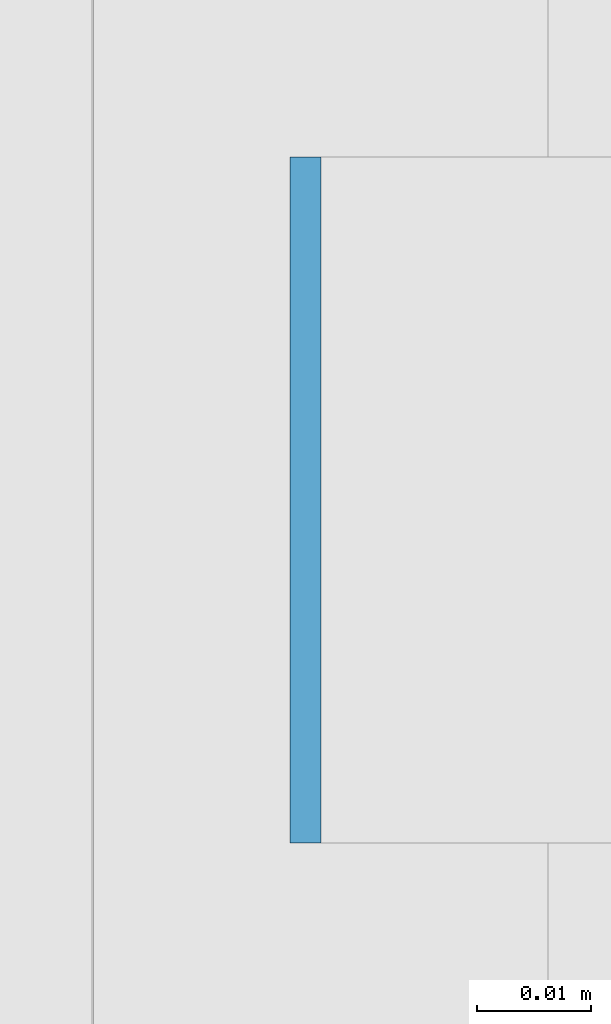
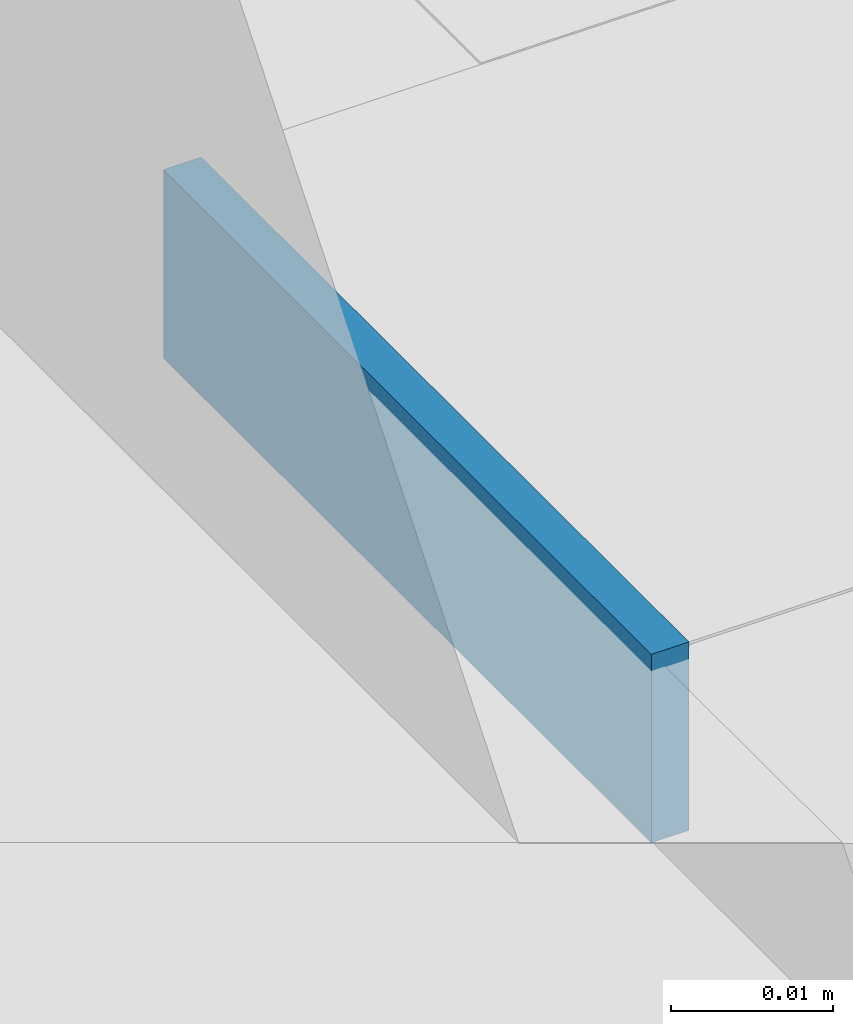
# One storey, part 533 of 646: 1 discrete accessory.
"""IFC4 building model written with IfcOpenShell, lengths in metres."""

from ifc_helpers import new_model, si_unit, direction, frame, origin, origin_2d, place, context, subcontext, project, spatial, rectangle, extrude, material, type_object, element, save


model = new_model("IFC4")

# Units and contexts
model_context = context("Model", 3, precision=1e-05, world=origin(), true_north=direction((0.0, 1.0)))
body_context = subcontext(model_context, "Body", "Model", "MODEL_VIEW")
ifc_project = project(units=[si_unit("LENGTHUNIT", "METRE"), si_unit("AREAUNIT", "SQUARE_METRE"), si_unit("VOLUMEUNIT", "CUBIC_METRE"), si_unit("PLANEANGLEUNIT", "RADIAN"), si_unit("MASSUNIT", "GRAM", prefix="KILO")], contexts=[model_context])

# Site, building, storey
site_placement = place(None, origin())
site = spatial("IfcSite", under=ifc_project, at=site_placement, CompositionType="ELEMENT")
building_placement = place(site_placement, origin())
building = spatial("IfcBuilding", under=site, at=building_placement, Name="Silverbay Arena", CompositionType="ELEMENT")
storey_placement = place(building_placement, frame((0.0, 0.0, 33.5)))
storey = spatial("IfcBuildingStorey", under=building, at=storey_placement, Name="L05", CompositionType="ELEMENT", Elevation=33.5)

# Discrete accessory
ifc_material = material(Name="Steel S355", Category="steel")
discrete_accessory_type = type_object("IfcDiscreteAccessoryType", Name="Steel bracket plate", PredefinedType="BRACKET", material=ifc_material)
discrete_accessory_placement = place(storey_placement, frame((207.128662109375, 86.142822265625, 12.98583984375), z_axis=(0.0, 0.0, 1.0), x_axis=(1.0, 0.0, 0.0)))
element("IfcDiscreteAccessory", 1, at=discrete_accessory_placement, inside=storey, type_object=discrete_accessory_type, Name="Curtain wall packing plate", PredefinedType="BRACKET", context=body_context, shape_type="SweptSolid", body=[
    extrude(rectangle(XDim=0.002685546875, YDim=0.06005859375, at=origin_2d()), origin(), (0.0, 0.0, 1.0), 0.01416015625),
])

save(model, "model.ifc")
